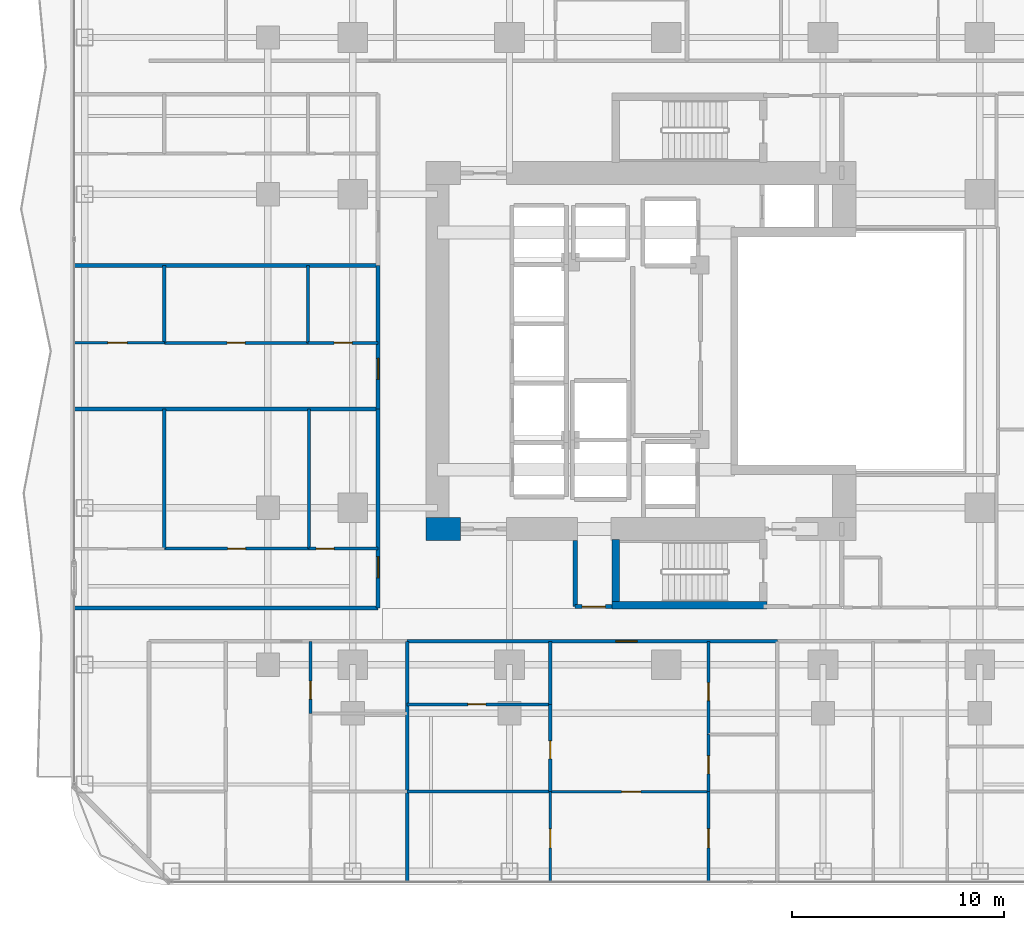
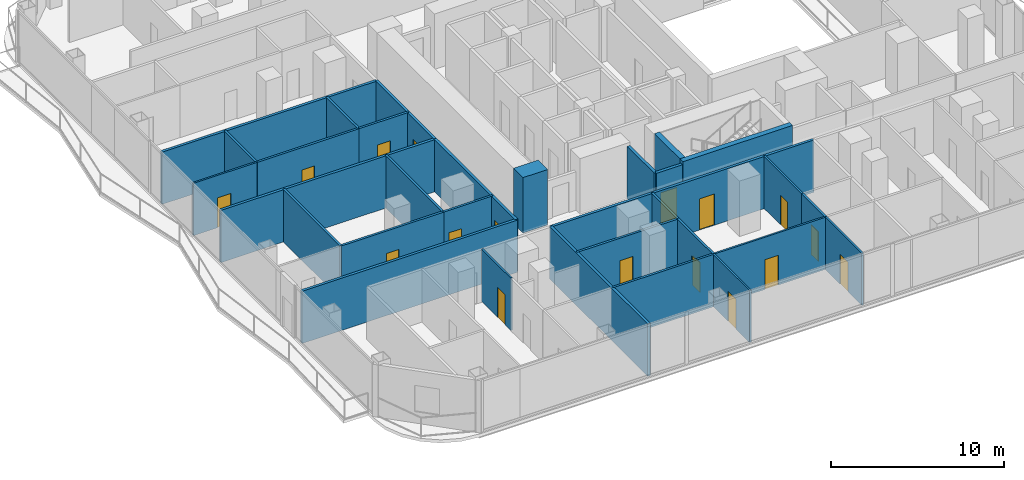
# One storey, part 20 of 29: 31 walls, 17 doors, 17 openings.
"""IFC4 building model written with IfcOpenShell, lengths in metres."""

from ifc_helpers import new_model, si_unit, direction, frame, frame_2d, origin, place, context, subcontext, project, spatial, rectangle, extrude, material, layer, layer_set, type_object, element, fill, save


model = new_model("IFC4")

# Units and contexts
model_context = context("Model", 3, precision=1e-05, world=origin(), true_north=direction((0.0, 1.0)))
body_context = subcontext(model_context, "Body", "Model", "MODEL_VIEW")
ifc_project = project(units=[si_unit("LENGTHUNIT", "METRE"), si_unit("AREAUNIT", "SQUARE_METRE"), si_unit("VOLUMEUNIT", "CUBIC_METRE"), si_unit("PLANEANGLEUNIT", "RADIAN"), si_unit("MASSUNIT", "GRAM", prefix="KILO")], contexts=[model_context])

# Site, building, storey
site_placement = place(None, origin())
site = spatial("IfcSite", under=ifc_project, at=site_placement, CompositionType="ELEMENT")
building_placement = place(site_placement, origin())
building = spatial("IfcBuilding", under=site, at=building_placement, Name="Khorvyn Point Tower", CompositionType="ELEMENT")
storey_placement = place(building_placement, frame((0.0, 0.0, 61.800048828125)))
storey = spatial("IfcBuildingStorey", under=building, at=storey_placement, Name="L16", CompositionType="ELEMENT", Elevation=61.800048828125)

# Wall, opening, door
ifc_material_1 = material(Name="Double acoustic gypsum on twin steel stud", Category="steel")
ifc_layer_1 = layer(ifc_material_1, 0.179931640625)
ifc_layer_set_1 = layer_set([ifc_layer_1], Name="Acoustic Double-Stud Apartment Demising Wall 180")
wall_type_1 = type_object("IfcWallType", Name="Acoustic Double-Stud Apartment Demising Wall 180", PredefinedType="PARTITIONING", material=ifc_layer_set_1)
wall_1_placement = place(storey_placement, frame((-12.22509765625, -13.699951171875, 0.0), z_axis=(0.0, 0.0, 1.0), x_axis=(1.0, 0.0, 0.0)))
wall_1 = element("IfcWall", 1, at=wall_1_placement, inside=storey, type_object=wall_type_1, Name="Wall", PredefinedType="PARTITIONING", context=body_context, shape_type="SweptSolid", body=[
    extrude(rectangle(XDim=17.467041015625, YDim=0.179931640625, at=frame_2d((8.7333984375, 0.0))), origin(), (0.0, 0.0, 1.0), 3.679931640625),
])
opening_1_placement = place(wall_1_placement, frame((9.84814453125, 0.0, 0.0)))
opening_1 = element("IfcOpeningElement", 2, at=opening_1_placement, cuts=wall_1, Name="Opening ID-AP60", PredefinedType="OPENING", context=body_context, shape_type="SweptSolid", body=[
    extrude(rectangle(XDim=1.0, YDim=2.199951171875, at=frame_2d((0.5, 1.10009765625))), frame((0.0, 0.099853515625, 0.0), z_axis=(0.0, -1.0, 0.0), x_axis=(1.0, 0.0, 0.0)), (0.0, 0.0, 1.0), 0.199951171875),
])
ifc_material_2 = material(Name="Engineered hardwood fire-rated leaf", Category="wood")
door_type_1 = type_object("IfcDoorType", Name="Acoustic Solid-Core Timber Apartment Entrance Door 1000x2200", OperationType="NOTDEFINED", PredefinedType="DOOR", material=ifc_material_2)
door_1_placement = place(opening_1_placement, origin())
door_1 = element("IfcDoor", 3, at=door_1_placement, inside=storey, type_object=door_type_1, Name="Door", OperationType="SINGLE_SWING_LEFT", OverallHeight=2.199951171875, OverallWidth=1.0, PredefinedType="DOOR", context=body_context, shape_type="SweptSolid", body=[
    extrude(rectangle(XDim=1.0, YDim=2.199951171875, at=frame_2d((0.5, 1.10009765625))), frame((0.0, 0.02490234375, 0.0), z_axis=(0.0, -1.0, 0.0), x_axis=(1.0, 0.0, 0.0)), (0.0, 0.0, 1.0), 0.050048828125),
])
fill(opening_1, door_1)

wall_2_placement = place(storey_placement, frame((-13.60009765625, -12.1201171875, 0.0), z_axis=(0.0, 0.0, 1.0), x_axis=(0.0, 1.0, 0.0)))
wall_2 = element("IfcWall", 4, at=wall_2_placement, inside=storey, type_object=wall_type_1, Name="Wall", PredefinedType="PARTITIONING", context=body_context, shape_type="SweptSolid", body=[
    extrude(rectangle(XDim=9.38916015625, YDim=0.179931640625, at=frame_2d((4.694580078125, 0.0))), origin(), (0.0, 0.0, 1.0), 3.679931640625),
])
opening_2_placement = place(wall_2_placement, frame((1.415283203125, 0.0, 0.0)))
opening_2 = element("IfcOpeningElement", 5, at=opening_2_placement, cuts=wall_2, Name="Opening ID-AP60", PredefinedType="OPENING", context=body_context, shape_type="SweptSolid", body=[
    extrude(rectangle(XDim=1.0, YDim=2.199951171875, at=frame_2d((0.5, 1.10009765625))), frame((0.0, 0.099853515625, 0.0), z_axis=(0.0, -1.0, 0.0), x_axis=(1.0, 0.0, 0.0)), (0.0, 0.0, 1.0), 0.199951171875),
])
door_2_placement = place(opening_2_placement, origin())
door_2 = element("IfcDoor", 6, at=door_2_placement, inside=storey, type_object=door_type_1, Name="Door", OperationType="SINGLE_SWING_LEFT", OverallHeight=2.199951171875, OverallWidth=1.0, PredefinedType="DOOR", context=body_context, shape_type="SweptSolid", body=[
    extrude(rectangle(XDim=1.0, YDim=2.199951171875, at=frame_2d((0.5, 1.10009765625))), frame((0.0, 0.02490234375, 0.0), z_axis=(0.0, -1.0, 0.0), x_axis=(1.0, 0.0, 0.0)), (0.0, 0.0, 1.0), 0.050048828125),
])
fill(opening_2, door_2)

wall_3_placement = place(storey_placement, frame((-13.60009765625, -2.73095703125, 0.0), z_axis=(0.0, 0.0, 1.0), x_axis=(0.0, 1.0, 0.0)))
wall_3 = element("IfcWall", 7, at=wall_3_placement, inside=storey, type_object=wall_type_1, Name="Wall", PredefinedType="PARTITIONING", context=body_context, shape_type="SweptSolid", body=[
    extrude(rectangle(XDim=6.77099609375, YDim=0.179931640625, at=frame_2d((3.385498046875, 0.0))), origin(), (0.0, 0.0, 1.0), 3.679931640625),
])
opening_3_placement = place(wall_3_placement, frame((1.390869140625, 0.0, 0.0)))
opening_3 = element("IfcOpeningElement", 8, at=opening_3_placement, cuts=wall_3, Name="Opening ID-AP60", PredefinedType="OPENING", context=body_context, shape_type="SweptSolid", body=[
    extrude(rectangle(XDim=1.0, YDim=2.199951171875, at=frame_2d((0.5, 1.10009765625))), frame((0.0, 0.099853515625, 0.0), z_axis=(0.0, -1.0, 0.0), x_axis=(1.0, 0.0, 0.0)), (0.0, 0.0, 1.0), 0.199951171875),
])
door_3_placement = place(opening_3_placement, origin())
door_3 = element("IfcDoor", 9, at=door_3_placement, inside=storey, type_object=door_type_1, Name="Door", OperationType="SINGLE_SWING_LEFT", OverallHeight=2.199951171875, OverallWidth=1.0, PredefinedType="DOOR", context=body_context, shape_type="SweptSolid", body=[
    extrude(rectangle(XDim=1.0, YDim=2.199951171875, at=frame_2d((0.5, 1.10009765625))), frame((0.0, 0.02490234375, 0.0), z_axis=(0.0, -1.0, 0.0), x_axis=(1.0, 0.0, 0.0)), (0.0, 0.0, 1.0), 0.050048828125),
])
fill(opening_3, door_3)

# Walls
wall_4_placement = place(storey_placement, frame((-12.22509765625, -25.030029296875, 0.0), z_axis=(0.0, 0.0, 1.0), x_axis=(0.0, 1.0, 0.0)))
element("IfcWall", 10, at=wall_4_placement, inside=storey, type_object=wall_type_1, Name="Wall", PredefinedType="PARTITIONING", context=body_context, shape_type="SweptSolid", body=[
    extrude(rectangle(XDim=11.330078125, YDim=0.179931640625, at=frame_2d((5.6650390625, 0.0))), origin(), (0.0, 0.0, 1.0), 3.679931640625),
])
for number, where, z_axis, x_axis, name in (
    (11, (-27.929931640625, -2.73095703125, 0.0), (0.0, 0.0, 1.0), (1.0, 0.0, 0.0), "Wall"),
    (12, (-27.929931640625, 4.0400390625, 0.0), (0.0, 0.0, 1.0), (1.0, 0.0, 0.0), "Wall"),
    (13, (-27.929931640625, -12.1201171875, 0.0), (0.0, 0.0, 1.0), (1.0, 0.0, 0.0), "Wall"),
):
    element("IfcWall", number, at=place(storey_placement, frame(where, z_axis=z_axis, x_axis=x_axis)), inside=storey, type_object=wall_type_1, Name=name, PredefinedType="PARTITIONING", context=body_context, shape_type="SweptSolid", body=[
        extrude(rectangle(XDim=14.329833984375, YDim=0.179931640625, at=frame_2d((7.1650390625, 0.0))), origin(), (0.0, 0.0, 1.0), 3.679931640625),
    ])

# Wall, opening, door
ifc_material_3 = material(Name="Concrete C40/50", Category="concrete")
ifc_layer_2 = layer(ifc_material_3, 0.199951171875)
ifc_layer_set_2 = layer_set([ifc_layer_2], Name="Concrete C40/50 Fire-Lobby Compartment Wall 200")
wall_type_2 = type_object("IfcWallType", Name="Concrete C40/50 Fire-Lobby Compartment Wall 200", PredefinedType="SOLIDWALL", material=ifc_layer_set_2)
wall_5_placement = place(storey_placement, frame((-4.300048828125, -12.06005859375, 0.0), z_axis=(0.0, 0.0, 1.0), x_axis=(1.0, 0.0, 0.0)))
wall_5 = element("IfcWall", 14, at=wall_5_placement, inside=storey, type_object=wall_type_2, Name="Wall", PredefinedType="SOLIDWALL", context=body_context, shape_type="SweptSolid", body=[
    extrude(rectangle(XDim=1.75, YDim=0.199951171875, at=frame_2d((0.875, 0.0))), origin(), (0.0, 0.0, 1.0), 3.679931640625),
])
opening_4_placement = place(wall_5_placement, frame((0.324951171875, 0.0, 0.0)))
opening_4 = element("IfcOpeningElement", 15, at=opening_4_placement, cuts=wall_5, Name="Opening ID-FL90", PredefinedType="OPENING", context=body_context, shape_type="SweptSolid", body=[
    extrude(rectangle(XDim=1.10009765625, YDim=2.14990234375, at=frame_2d((0.550048828125, 1.074951171875))), frame((0.0, 0.10986328125, 0.0), z_axis=(0.0, -1.0, 0.0), x_axis=(1.0, 0.0, 0.0)), (0.0, 0.0, 1.0), 0.219970703125),
])
ifc_material_4 = material(Name="Galvanised powder-coated steel", Category="steel")
door_type_2 = type_object("IfcDoorType", Name="Fire-Rated Steel Lobby and Stair Door 1100x2150", OperationType="NOTDEFINED", PredefinedType="DOOR", material=ifc_material_4)
door_4_placement = place(opening_4_placement, origin())
door_4 = element("IfcDoor", 16, at=door_4_placement, inside=storey, type_object=door_type_2, Name="Door", OperationType="SINGLE_SWING_RIGHT", OverallHeight=2.14990234375, OverallWidth=1.10009765625, PredefinedType="DOOR", context=body_context, shape_type="SweptSolid", body=[
    extrude(rectangle(XDim=1.10009765625, YDim=2.14990234375, at=frame_2d((0.550048828125, 1.074951171875))), frame((0.0, 0.02490234375, 0.0), z_axis=(0.0, -1.0, 0.0), x_axis=(1.0, 0.0, 0.0)), (0.0, 0.0, 1.0), 0.050048828125),
])
fill(opening_4, door_4)

# Walls
wall_6_placement = place(storey_placement, frame((-4.300048828125, -12.06005859375, 0.0), z_axis=(0.0, 0.0, 1.0), x_axis=(0.0, 1.0, 0.0)))
element("IfcWall", 17, at=wall_6_placement, inside=storey, type_object=wall_type_2, Name="Wall", PredefinedType="SOLIDWALL", context=body_context, shape_type="SweptSolid", body=[
    extrude(rectangle(XDim=3.110107421875, YDim=0.199951171875, at=frame_2d((1.55517578125, 0.0))), origin(), (0.0, 0.0, 1.0), 3.679931640625),
])
ifc_layer_3 = layer(ifc_material_3, 0.35009765625)
ifc_layer_set_3 = layer_set([ifc_layer_3], Name="Concrete C40/50 Stair Shaft Structural Wall 350")
wall_type_3 = type_object("IfcWallType", Name="Concrete C40/50 Stair Shaft Structural Wall 350", PredefinedType="SHEAR", material=ifc_layer_set_3)
wall_7_placement = place(storey_placement, frame((-2.554931640625, -12.0, 0.0), z_axis=(0.0, 0.0, 1.0), x_axis=(1.0, 0.0, 0.0)))
element("IfcWall", 18, at=wall_7_placement, inside=storey, type_object=wall_type_3, Name="L16 ST-01 South Shaft Wall", PredefinedType="SHEAR", context=body_context, shape_type="SweptSolid", body=[
    extrude(rectangle(XDim=7.309814453125, YDim=0.35009765625, at=frame_2d((3.65478515625, 0.0))), origin(), (0.0, 0.0, 1.0), 3.89990234375),
])
wall_8_placement = place(storey_placement, frame((-2.3798828125, -11.824951171875, 0.0), z_axis=(0.0, 0.0, 1.0), x_axis=(0.0, 1.0, 0.0)))
element("IfcWall", 19, at=wall_8_placement, inside=storey, type_object=wall_type_3, Name="L16 ST-01 West Shaft Wall", PredefinedType="SHEAR", context=body_context, shape_type="SweptSolid", body=[
    extrude(rectangle(XDim=2.925048828125, YDim=0.35009765625, at=frame_2d((1.46240234375, 0.0))), origin(), (0.0, 0.0, 1.0), 3.89990234375),
])
ifc_material_5 = material(Name="Concrete C50/60", Category="concrete")
ifc_layer_4 = layer(ifc_material_5, 1.10009765625)
ifc_layer_set_4 = layer_set([ifc_layer_4], Name="Concrete C50/60 Core Shear Wall 1100")
wall_type_4 = type_object("IfcWallType", Name="Concrete C50/60 Core Shear Wall 1100", PredefinedType="SHEAR", material=ifc_layer_set_4)
wall_9_placement = place(storey_placement, frame((-11.35009765625, -8.39990234375, 0.0), z_axis=(0.0, 0.0, 1.0), x_axis=(1.0, 0.0, 0.0)))
element("IfcWall", 20, at=wall_9_placement, inside=storey, type_object=wall_type_4, Name="Wall", PredefinedType="SHEAR", context=body_context, shape_type="SweptSolid", body=[
    extrude(rectangle(XDim=1.650146484375, YDim=1.10009765625, at=frame_2d((0.8251953125, 0.0))), origin(), (0.0, 0.0, 1.0), 3.89990234375),
])

# Wall, opening, door
ifc_material_6 = material(Name="Gypsum plasterboard on steel stud", Category="steel")
ifc_layer_5 = layer(ifc_material_6, 0.1201171875)
ifc_layer_set_5 = layer_set([ifc_layer_5], Name="Gypsum Acoustic Stud Room Partition Wall 120")
wall_type_5 = type_object("IfcWallType", Name="Gypsum Acoustic Stud Room Partition Wall 120", PredefinedType="PARTITIONING", material=ifc_layer_set_5)
wall_10_placement = place(storey_placement, frame((-16.791015625, -17.10009765625, 0.0), z_axis=(0.0, 0.0, 1.0), x_axis=(0.0, 1.0, 0.0)))
wall_10 = element("IfcWall", 21, at=wall_10_placement, inside=storey, type_object=wall_type_5, Name="Wall", PredefinedType="PARTITIONING", context=body_context, shape_type="SweptSolid", body=[
    extrude(rectangle(XDim=3.400146484375, YDim=0.1201171875, at=frame_2d((1.7001953125, 0.0))), origin(), (0.0, 0.0, 1.0), 3.679931640625),
])
opening_5_placement = place(wall_10_placement, frame((0.674560546875, 0.0, 0.0)))
opening_5 = element("IfcOpeningElement", 22, at=opening_5_placement, cuts=wall_10, Name="Opening ID-WC85", PredefinedType="OPENING", context=body_context, shape_type="SweptSolid", body=[
    extrude(rectangle(XDim=0.85009765625, YDim=2.10009765625, at=frame_2d((0.425048828125, 1.050048828125))), frame((0.0, 0.070068359375, 0.0), z_axis=(0.0, -1.0, 0.0), x_axis=(1.0, 0.0, 0.0)), (0.0, 0.0, 1.0), 0.14013671875),
])
ifc_material_7 = material(Name="High-pressure laminate on moisture-resistant core", Category="wood")
door_type_3 = type_object("IfcDoorType", Name="Moisture-Resistant Accessible Washroom Door 850x2100", OperationType="NOTDEFINED", PredefinedType="DOOR", material=ifc_material_7)
door_5_placement = place(opening_5_placement, origin())
door_5 = element("IfcDoor", 23, at=door_5_placement, inside=storey, type_object=door_type_3, Name="Door", OperationType="SINGLE_SWING_LEFT", OverallHeight=2.10009765625, OverallWidth=0.85009765625, PredefinedType="DOOR", context=body_context, shape_type="SweptSolid", body=[
    extrude(rectangle(XDim=0.85009765625, YDim=2.10009765625, at=frame_2d((0.425048828125, 1.050048828125))), frame((0.0, 0.02490234375, 0.0), z_axis=(0.0, -1.0, 0.0), x_axis=(1.0, 0.0, 0.0)), (0.0, 0.0, 1.0), 0.050048828125),
])
fill(opening_5, door_5)

wall_11_placement = place(storey_placement, frame((-5.47705078125, -20.7900390625, 0.0), z_axis=(0.0, 0.0, 1.0), x_axis=(1.0, 0.0, 0.0)))
wall_11 = element("IfcWall", 24, at=wall_11_placement, inside=storey, type_object=wall_type_5, Name="Wall", PredefinedType="PARTITIONING", context=body_context, shape_type="SweptSolid", body=[
    extrude(rectangle(XDim=7.470947265625, YDim=0.1201171875, at=frame_2d((3.7353515625, 0.0))), origin(), (0.0, 0.0, 1.0), 3.679931640625),
])
opening_6_placement = place(wall_11_placement, frame((3.374755859375, 0.0, 0.0)))
opening_6 = element("IfcOpeningElement", 25, at=opening_6_placement, cuts=wall_11, Name="Opening ID-RM90", PredefinedType="OPENING", context=body_context, shape_type="SweptSolid", body=[
    extrude(rectangle(XDim=0.89990234375, YDim=2.10009765625, at=frame_2d((0.449951171875, 1.050048828125))), frame((0.0, 0.070068359375, 0.0), z_axis=(0.0, -1.0, 0.0), x_axis=(1.0, 0.0, 0.0)), (0.0, 0.0, 1.0), 0.14013671875),
])
ifc_material_8 = material(Name="Engineered oak veneer timber", Category="wood")
door_type_4 = type_object("IfcDoorType", Name="Flush Engineered Timber Room Door 900x2100", OperationType="NOTDEFINED", PredefinedType="DOOR", material=ifc_material_8)
door_6_placement = place(opening_6_placement, origin())
door_6 = element("IfcDoor", 26, at=door_6_placement, inside=storey, type_object=door_type_4, Name="Door", OperationType="SINGLE_SWING_RIGHT", OverallHeight=2.10009765625, OverallWidth=0.89990234375, PredefinedType="DOOR", context=body_context, shape_type="SweptSolid", body=[
    extrude(rectangle(XDim=0.89990234375, YDim=2.10009765625, at=frame_2d((0.449951171875, 1.050048828125))), frame((0.0, 0.02490234375, 0.0), z_axis=(0.0, -1.0, 0.0), x_axis=(1.0, 0.0, 0.0)), (0.0, 0.0, 1.0), 0.050048828125),
])
fill(opening_6, door_6)

wall_12_placement = place(storey_placement, frame((-5.47705078125, -25.030029296875, 0.0), z_axis=(0.0, 0.0, 1.0), x_axis=(0.0, 1.0, 0.0)))
wall_12 = element("IfcWall", 27, at=wall_12_placement, inside=storey, type_object=wall_type_5, Name="Wall", PredefinedType="PARTITIONING", context=body_context, shape_type="SweptSolid", body=[
    extrude(rectangle(XDim=4.239990234375, YDim=0.1201171875, at=frame_2d((2.1201171875, 0.0))), origin(), (0.0, 0.0, 1.0), 3.679931640625),
])
opening_7_placement = place(wall_12_placement, frame((1.581298828125, 0.0, 0.0)))
opening_7 = element("IfcOpeningElement", 28, at=opening_7_placement, cuts=wall_12, Name="Opening ID-RM90", PredefinedType="OPENING", context=body_context, shape_type="SweptSolid", body=[
    extrude(rectangle(XDim=0.89990234375, YDim=2.10009765625, at=frame_2d((0.449951171875, 1.050048828125))), frame((0.0, 0.070068359375, 0.0), z_axis=(0.0, -1.0, 0.0), x_axis=(1.0, 0.0, 0.0)), (0.0, 0.0, 1.0), 0.14013671875),
])
door_7_placement = place(opening_7_placement, origin())
door_7 = element("IfcDoor", 29, at=door_7_placement, inside=storey, type_object=door_type_4, Name="Door", OperationType="SINGLE_SWING_LEFT", OverallHeight=2.10009765625, OverallWidth=0.89990234375, PredefinedType="DOOR", context=body_context, shape_type="SweptSolid", body=[
    extrude(rectangle(XDim=0.89990234375, YDim=2.10009765625, at=frame_2d((0.449951171875, 1.050048828125))), frame((0.0, 0.02490234375, 0.0), z_axis=(0.0, -1.0, 0.0), x_axis=(1.0, 0.0, 0.0)), (0.0, 0.0, 1.0), 0.050048828125),
])
fill(opening_7, door_7)

wall_13_placement = place(storey_placement, frame((1.993896484375, -18.095947265625, 0.0), z_axis=(0.0, 0.0, 1.0), x_axis=(0.0, 1.0, 0.0)))
wall_13 = element("IfcWall", 30, at=wall_13_placement, inside=storey, type_object=wall_type_5, Name="Wall", PredefinedType="PARTITIONING", context=body_context, shape_type="SweptSolid", body=[
    extrude(rectangle(XDim=4.39599609375, YDim=0.1201171875, at=frame_2d((2.197998046875, 0.0))), origin(), (0.0, 0.0, 1.0), 3.679931640625),
])
opening_8_placement = place(wall_13_placement, frame((1.59375, 0.0, 0.0)))
opening_8 = element("IfcOpeningElement", 31, at=opening_8_placement, cuts=wall_13, Name="Opening ID-WC85", PredefinedType="OPENING", context=body_context, shape_type="SweptSolid", body=[
    extrude(rectangle(XDim=0.85009765625, YDim=2.10009765625, at=frame_2d((0.425048828125, 1.050048828125))), frame((0.0, 0.070068359375, 0.0), z_axis=(0.0, -1.0, 0.0), x_axis=(1.0, 0.0, 0.0)), (0.0, 0.0, 1.0), 0.14013671875),
])
door_8_placement = place(opening_8_placement, origin())
door_8 = element("IfcDoor", 32, at=door_8_placement, inside=storey, type_object=door_type_3, Name="Door", OperationType="SINGLE_SWING_LEFT", OverallHeight=2.10009765625, OverallWidth=0.85009765625, PredefinedType="DOOR", context=body_context, shape_type="SweptSolid", body=[
    extrude(rectangle(XDim=0.85009765625, YDim=2.10009765625, at=frame_2d((0.425048828125, 1.050048828125))), frame((0.0, 0.02490234375, 0.0), z_axis=(0.0, -1.0, 0.0), x_axis=(1.0, 0.0, 0.0)), (0.0, 0.0, 1.0), 0.050048828125),
])
fill(opening_8, door_8)

wall_14_placement = place(storey_placement, frame((1.993896484375, -25.030029296875, 0.0), z_axis=(0.0, 0.0, 1.0), x_axis=(0.0, 1.0, 0.0)))
wall_14 = element("IfcWall", 33, at=wall_14_placement, inside=storey, type_object=wall_type_5, Name="Wall", PredefinedType="PARTITIONING", context=body_context, shape_type="SweptSolid", body=[
    extrude(rectangle(XDim=4.239990234375, YDim=0.1201171875, at=frame_2d((2.1201171875, 0.0))), origin(), (0.0, 0.0, 1.0), 3.679931640625),
])
opening_9_placement = place(wall_14_placement, frame((1.581298828125, 0.0, 0.0)))
opening_9 = element("IfcOpeningElement", 34, at=opening_9_placement, cuts=wall_14, Name="Opening ID-RM90", PredefinedType="OPENING", context=body_context, shape_type="SweptSolid", body=[
    extrude(rectangle(XDim=0.89990234375, YDim=2.10009765625, at=frame_2d((0.449951171875, 1.050048828125))), frame((0.0, 0.070068359375, 0.0), z_axis=(0.0, -1.0, 0.0), x_axis=(1.0, 0.0, 0.0)), (0.0, 0.0, 1.0), 0.14013671875),
])
door_9_placement = place(opening_9_placement, origin())
door_9 = element("IfcDoor", 35, at=door_9_placement, inside=storey, type_object=door_type_4, Name="Door", OperationType="SINGLE_SWING_RIGHT", OverallHeight=2.10009765625, OverallWidth=0.89990234375, PredefinedType="DOOR", context=body_context, shape_type="SweptSolid", body=[
    extrude(rectangle(XDim=0.89990234375, YDim=2.10009765625, at=frame_2d((0.449951171875, 1.050048828125))), frame((0.0, 0.02490234375, 0.0), z_axis=(0.0, -1.0, 0.0), x_axis=(1.0, 0.0, 0.0)), (0.0, 0.0, 1.0), 0.050048828125),
])
fill(opening_9, door_9)

wall_15_placement = place(storey_placement, frame((-27.929931640625, 0.384033203125, 0.0), z_axis=(0.0, 0.0, 1.0), x_axis=(1.0, 0.0, 0.0)))
wall_15 = element("IfcWall", 36, at=wall_15_placement, inside=storey, type_object=wall_type_5, Name="Wall", PredefinedType="PARTITIONING", context=body_context, shape_type="SweptSolid", body=[
    extrude(rectangle(XDim=4.239990234375, YDim=0.1201171875, at=frame_2d((2.1201171875, 0.0))), origin(), (0.0, 0.0, 1.0), 3.679931640625),
])
opening_10_placement = place(wall_15_placement, frame((1.581298828125, 0.0, 0.0)))
opening_10 = element("IfcOpeningElement", 37, at=opening_10_placement, cuts=wall_15, Name="Opening ID-RM90", PredefinedType="OPENING", context=body_context, shape_type="SweptSolid", body=[
    extrude(rectangle(XDim=0.89990234375, YDim=2.10009765625, at=frame_2d((0.449951171875, 1.050048828125))), frame((0.0, 0.070068359375, 0.0), z_axis=(0.0, -1.0, 0.0), x_axis=(1.0, 0.0, 0.0)), (0.0, 0.0, 1.0), 0.14013671875),
])
door_10_placement = place(opening_10_placement, origin())
door_10 = element("IfcDoor", 38, at=door_10_placement, inside=storey, type_object=door_type_4, Name="Door", OperationType="SINGLE_SWING_RIGHT", OverallHeight=2.10009765625, OverallWidth=0.89990234375, PredefinedType="DOOR", context=body_context, shape_type="SweptSolid", body=[
    extrude(rectangle(XDim=0.89990234375, YDim=2.10009765625, at=frame_2d((0.449951171875, 1.050048828125))), frame((0.0, 0.02490234375, 0.0), z_axis=(0.0, -1.0, 0.0), x_axis=(1.0, 0.0, 0.0)), (0.0, 0.0, 1.0), 0.050048828125),
])
fill(opening_10, door_10)

ifc_material_9 = material(Name="Moisture-resistant gypsum and cement board", Category="gypsum")
ifc_layer_6 = layer(ifc_material_9, 0.14990234375)
ifc_layer_set_6 = layer_set([ifc_layer_6], Name="Moisture-Resistant Wet-Room Partition Wall 150")
wall_type_6 = type_object("IfcWallType", Name="Moisture-Resistant Wet-Room Partition Wall 150", PredefinedType="PARTITIONING", material=ifc_layer_set_6)
wall_16_placement = place(storey_placement, frame((-5.47705078125, -20.7900390625, 0.0), z_axis=(0.0, 0.0, 1.0), x_axis=(0.0, 1.0, 0.0)))
wall_16 = element("IfcWall", 39, at=wall_16_placement, inside=storey, type_object=wall_type_6, Name="Wall", PredefinedType="PARTITIONING", context=body_context, shape_type="SweptSolid", body=[
    extrude(rectangle(XDim=4.112060546875, YDim=0.14990234375, at=frame_2d((2.05615234375, 0.0))), origin(), (0.0, 0.0, 1.0), 3.679931640625),
])
opening_11_placement = place(wall_16_placement, frame((1.54443359375, 0.0, 0.0)))
opening_11 = element("IfcOpeningElement", 40, at=opening_11_placement, cuts=wall_16, Name="Opening ID-WC85", PredefinedType="OPENING", context=body_context, shape_type="SweptSolid", body=[
    extrude(rectangle(XDim=0.85009765625, YDim=2.10009765625, at=frame_2d((0.425048828125, 1.050048828125))), frame((0.0, 0.0849609375, 0.0), z_axis=(0.0, -1.0, 0.0), x_axis=(1.0, 0.0, 0.0)), (0.0, 0.0, 1.0), 0.169921875),
])
door_11_placement = place(opening_11_placement, origin())
door_11 = element("IfcDoor", 41, at=door_11_placement, inside=storey, type_object=door_type_3, Name="Door", OperationType="SINGLE_SWING_LEFT", OverallHeight=2.10009765625, OverallWidth=0.85009765625, PredefinedType="DOOR", context=body_context, shape_type="SweptSolid", body=[
    extrude(rectangle(XDim=0.85009765625, YDim=2.10009765625, at=frame_2d((0.425048828125, 1.050048828125))), frame((0.0, 0.02490234375, 0.0), z_axis=(0.0, -1.0, 0.0), x_axis=(1.0, 0.0, 0.0)), (0.0, 0.0, 1.0), 0.050048828125),
])
fill(opening_11, door_11)

# Wall
wall_17_placement = place(storey_placement, frame((-5.47705078125, -16.677978515625, 0.0), z_axis=(0.0, 0.0, 1.0), x_axis=(0.0, 1.0, 0.0)))
element("IfcWall", 42, at=wall_17_placement, inside=storey, type_object=wall_type_6, Name="Wall", PredefinedType="PARTITIONING", context=body_context, shape_type="SweptSolid", body=[
    extrude(rectangle(XDim=2.97802734375, YDim=0.14990234375, at=frame_2d((1.489013671875, 0.0))), origin(), (0.0, 0.0, 1.0), 3.679931640625),
])

# Wall, opening, door
wall_18_placement = place(storey_placement, frame((1.993896484375, -20.7900390625, 0.0), z_axis=(0.0, 0.0, 1.0), x_axis=(0.0, 1.0, 0.0)))
wall_18 = element("IfcWall", 43, at=wall_18_placement, inside=storey, type_object=wall_type_6, Name="Wall", PredefinedType="PARTITIONING", context=body_context, shape_type="SweptSolid", body=[
    extrude(rectangle(XDim=2.694091796875, YDim=0.14990234375, at=frame_2d((1.34716796875, 0.0))), origin(), (0.0, 0.0, 1.0), 3.679931640625),
])
opening_12_placement = place(wall_18_placement, frame((0.83740234375, 0.0, 0.0)))
opening_12 = element("IfcOpeningElement", 44, at=opening_12_placement, cuts=wall_18, Name="Opening ID-WC85", PredefinedType="OPENING", context=body_context, shape_type="SweptSolid", body=[
    extrude(rectangle(XDim=0.85009765625, YDim=2.10009765625, at=frame_2d((0.425048828125, 1.050048828125))), frame((0.0, 0.0849609375, 0.0), z_axis=(0.0, -1.0, 0.0), x_axis=(1.0, 0.0, 0.0)), (0.0, 0.0, 1.0), 0.169921875),
])
door_12_placement = place(opening_12_placement, origin())
door_12 = element("IfcDoor", 45, at=door_12_placement, inside=storey, type_object=door_type_3, Name="Door", OperationType="SINGLE_SWING_RIGHT", OverallHeight=2.10009765625, OverallWidth=0.85009765625, PredefinedType="DOOR", context=body_context, shape_type="SweptSolid", body=[
    extrude(rectangle(XDim=0.85009765625, YDim=2.10009765625, at=frame_2d((0.425048828125, 1.050048828125))), frame((0.0, 0.02490234375, 0.0), z_axis=(0.0, -1.0, 0.0), x_axis=(1.0, 0.0, 0.0)), (0.0, 0.0, 1.0), 0.050048828125),
])
fill(opening_12, door_12)

wall_19_placement = place(storey_placement, frame((-23.68994140625, -9.320068359375, 0.0), z_axis=(0.0, 0.0, 1.0), x_axis=(1.0, 0.0, 0.0)))
wall_19 = element("IfcWall", 46, at=wall_19_placement, inside=storey, type_object=wall_type_6, Name="Wall", PredefinedType="PARTITIONING", context=body_context, shape_type="SweptSolid", body=[
    extrude(rectangle(XDim=6.826904296875, YDim=0.14990234375, at=frame_2d((3.41357421875, 0.0))), origin(), (0.0, 0.0, 1.0), 3.679931640625),
])
opening_13_placement = place(wall_19_placement, frame((2.988525390625, 0.0, 0.0)))
opening_13 = element("IfcOpeningElement", 47, at=opening_13_placement, cuts=wall_19, Name="Opening ID-WC85", PredefinedType="OPENING", context=body_context, shape_type="SweptSolid", body=[
    extrude(rectangle(XDim=0.85009765625, YDim=2.10009765625, at=frame_2d((0.425048828125, 1.050048828125))), frame((0.0, 0.0849609375, 0.0), z_axis=(0.0, -1.0, 0.0), x_axis=(1.0, 0.0, 0.0)), (0.0, 0.0, 1.0), 0.169921875),
])
door_13_placement = place(opening_13_placement, origin())
door_13 = element("IfcDoor", 48, at=door_13_placement, inside=storey, type_object=door_type_3, Name="Door", OperationType="SINGLE_SWING_RIGHT", OverallHeight=2.10009765625, OverallWidth=0.85009765625, PredefinedType="DOOR", context=body_context, shape_type="SweptSolid", body=[
    extrude(rectangle(XDim=0.85009765625, YDim=2.10009765625, at=frame_2d((0.425048828125, 1.050048828125))), frame((0.0, 0.02490234375, 0.0), z_axis=(0.0, -1.0, 0.0), x_axis=(1.0, 0.0, 0.0)), (0.0, 0.0, 1.0), 0.050048828125),
])
fill(opening_13, door_13)

wall_20_placement = place(storey_placement, frame((-16.863037109375, -9.320068359375, 0.0), z_axis=(0.0, 0.0, 1.0), x_axis=(1.0, 0.0, 0.0)))
wall_20 = element("IfcWall", 49, at=wall_20_placement, inside=storey, type_object=wall_type_6, Name="Wall", PredefinedType="PARTITIONING", context=body_context, shape_type="SweptSolid", body=[
    extrude(rectangle(XDim=3.262939453125, YDim=0.14990234375, at=frame_2d((1.63134765625, 0.0))), origin(), (0.0, 0.0, 1.0), 3.679931640625),
])
opening_14_placement = place(wall_20_placement, frame((0.33447265625, 0.0, 0.0)))
opening_14 = element("IfcOpeningElement", 50, at=opening_14_placement, cuts=wall_20, Name="Opening ID-WC85", PredefinedType="OPENING", context=body_context, shape_type="SweptSolid", body=[
    extrude(rectangle(XDim=0.85009765625, YDim=2.10009765625, at=frame_2d((0.425048828125, 1.050048828125))), frame((0.0, 0.0849609375, 0.0), z_axis=(0.0, -1.0, 0.0), x_axis=(1.0, 0.0, 0.0)), (0.0, 0.0, 1.0), 0.169921875),
])
door_14_placement = place(opening_14_placement, origin())
door_14 = element("IfcDoor", 51, at=door_14_placement, inside=storey, type_object=door_type_3, Name="Door", OperationType="SINGLE_SWING_LEFT", OverallHeight=2.10009765625, OverallWidth=0.85009765625, PredefinedType="DOOR", context=body_context, shape_type="SweptSolid", body=[
    extrude(rectangle(XDim=0.85009765625, YDim=2.10009765625, at=frame_2d((0.425048828125, 1.050048828125))), frame((0.0, 0.02490234375, 0.0), z_axis=(0.0, -1.0, 0.0), x_axis=(1.0, 0.0, 0.0)), (0.0, 0.0, 1.0), 0.050048828125),
])
fill(opening_14, door_14)

wall_21_placement = place(storey_placement, frame((-23.68994140625, 0.384033203125, 0.0), z_axis=(0.0, 0.0, 1.0), x_axis=(1.0, 0.0, 0.0)))
wall_21 = element("IfcWall", 52, at=wall_21_placement, inside=storey, type_object=wall_type_6, Name="Wall", PredefinedType="PARTITIONING", context=body_context, shape_type="SweptSolid", body=[
    extrude(rectangle(XDim=6.787841796875, YDim=0.14990234375, at=frame_2d((3.39404296875, 0.0))), origin(), (0.0, 0.0, 1.0), 3.679931640625),
])
opening_15_placement = place(wall_21_placement, frame((2.968994140625, 0.0, 0.0)))
opening_15 = element("IfcOpeningElement", 53, at=opening_15_placement, cuts=wall_21, Name="Opening ID-WC85", PredefinedType="OPENING", context=body_context, shape_type="SweptSolid", body=[
    extrude(rectangle(XDim=0.85009765625, YDim=2.10009765625, at=frame_2d((0.425048828125, 1.050048828125))), frame((0.0, 0.0849609375, 0.0), z_axis=(0.0, -1.0, 0.0), x_axis=(1.0, 0.0, 0.0)), (0.0, 0.0, 1.0), 0.169921875),
])
door_15_placement = place(opening_15_placement, origin())
door_15 = element("IfcDoor", 54, at=door_15_placement, inside=storey, type_object=door_type_3, Name="Door", OperationType="SINGLE_SWING_RIGHT", OverallHeight=2.10009765625, OverallWidth=0.85009765625, PredefinedType="DOOR", context=body_context, shape_type="SweptSolid", body=[
    extrude(rectangle(XDim=0.85009765625, YDim=2.10009765625, at=frame_2d((0.425048828125, 1.050048828125))), frame((0.0, 0.02490234375, 0.0), z_axis=(0.0, -1.0, 0.0), x_axis=(1.0, 0.0, 0.0)), (0.0, 0.0, 1.0), 0.050048828125),
])
fill(opening_15, door_15)

wall_22_placement = place(storey_placement, frame((-16.902099609375, 0.384033203125, 0.0), z_axis=(0.0, 0.0, 1.0), x_axis=(1.0, 0.0, 0.0)))
wall_22 = element("IfcWall", 55, at=wall_22_placement, inside=storey, type_object=wall_type_6, Name="Wall", PredefinedType="PARTITIONING", context=body_context, shape_type="SweptSolid", body=[
    extrude(rectangle(XDim=3.302001953125, YDim=0.14990234375, at=frame_2d((1.65087890625, 0.0))), origin(), (0.0, 0.0, 1.0), 3.679931640625),
])
opening_16_placement = place(wall_22_placement, frame((1.22607421875, 0.0, 0.0)))
opening_16 = element("IfcOpeningElement", 56, at=opening_16_placement, cuts=wall_22, Name="Opening ID-WC85", PredefinedType="OPENING", context=body_context, shape_type="SweptSolid", body=[
    extrude(rectangle(XDim=0.85009765625, YDim=2.10009765625, at=frame_2d((0.425048828125, 1.050048828125))), frame((0.0, 0.0849609375, 0.0), z_axis=(0.0, -1.0, 0.0), x_axis=(1.0, 0.0, 0.0)), (0.0, 0.0, 1.0), 0.169921875),
])
door_16_placement = place(opening_16_placement, origin())
door_16 = element("IfcDoor", 57, at=door_16_placement, inside=storey, type_object=door_type_3, Name="Door", OperationType="SINGLE_SWING_LEFT", OverallHeight=2.10009765625, OverallWidth=0.85009765625, PredefinedType="DOOR", context=body_context, shape_type="SweptSolid", body=[
    extrude(rectangle(XDim=0.85009765625, YDim=2.10009765625, at=frame_2d((0.425048828125, 1.050048828125))), frame((0.0, 0.02490234375, 0.0), z_axis=(0.0, -1.0, 0.0), x_axis=(1.0, 0.0, 0.0)), (0.0, 0.0, 1.0), 0.050048828125),
])
fill(opening_16, door_16)

wall_23_placement = place(storey_placement, frame((-12.22509765625, -16.677978515625, 0.0), z_axis=(0.0, 0.0, 1.0), x_axis=(1.0, 0.0, 0.0)))
wall_23 = element("IfcWall", 58, at=wall_23_placement, inside=storey, type_object=wall_type_6, Name="Wall", PredefinedType="PARTITIONING", context=body_context, shape_type="SweptSolid", body=[
    extrude(rectangle(XDim=6.748046875, YDim=0.14990234375, at=frame_2d((3.3740234375, 0.0))), origin(), (0.0, 0.0, 1.0), 3.679931640625),
])
opening_17_placement = place(wall_23_placement, frame((2.85888671875, 0.0, 0.0)))
opening_17 = element("IfcOpeningElement", 59, at=opening_17_placement, cuts=wall_23, Name="Opening ID-WC85", PredefinedType="OPENING", context=body_context, shape_type="SweptSolid", body=[
    extrude(rectangle(XDim=0.85009765625, YDim=2.10009765625, at=frame_2d((0.425048828125, 1.050048828125))), frame((0.0, 0.0849609375, 0.0), z_axis=(0.0, -1.0, 0.0), x_axis=(1.0, 0.0, 0.0)), (0.0, 0.0, 1.0), 0.169921875),
])
door_17_placement = place(opening_17_placement, origin())
door_17 = element("IfcDoor", 60, at=door_17_placement, inside=storey, type_object=door_type_3, Name="Door", OperationType="SINGLE_SWING_RIGHT", OverallHeight=2.10009765625, OverallWidth=0.85009765625, PredefinedType="DOOR", context=body_context, shape_type="SweptSolid", body=[
    extrude(rectangle(XDim=0.85009765625, YDim=2.10009765625, at=frame_2d((0.425048828125, 1.050048828125))), frame((0.0, 0.02490234375, 0.0), z_axis=(0.0, -1.0, 0.0), x_axis=(1.0, 0.0, 0.0)), (0.0, 0.0, 1.0), 0.050048828125),
])
fill(opening_17, door_17)

# Walls
wall_24_placement = place(storey_placement, frame((-12.22509765625, -20.7900390625, 0.0), z_axis=(0.0, 0.0, 1.0), x_axis=(1.0, 0.0, 0.0)))
element("IfcWall", 61, at=wall_24_placement, inside=storey, type_object=wall_type_6, Name="Wall", PredefinedType="PARTITIONING", context=body_context, shape_type="SweptSolid", body=[
    extrude(rectangle(XDim=6.748046875, YDim=0.14990234375, at=frame_2d((3.3740234375, 0.0))), origin(), (0.0, 0.0, 1.0), 3.679931640625),
])
for number, where, z_axis, x_axis, name in (
    (62, (-16.863037109375, -9.320068359375, 0.0), (0.0, 0.0, 1.0), (0.0, 1.0, 0.0), "Wall"),
    (63, (-23.68994140625, -9.320068359375, 0.0), (0.0, 0.0, 1.0), (0.0, 1.0, 0.0), "Wall"),
):
    element("IfcWall", number, at=place(storey_placement, frame(where, z_axis=z_axis, x_axis=x_axis)), inside=storey, type_object=wall_type_6, Name=name, PredefinedType="PARTITIONING", context=body_context, shape_type="SweptSolid", body=[
        extrude(rectangle(XDim=6.589111328125, YDim=0.14990234375, at=frame_2d((3.29443359375, 0.0))), origin(), (0.0, 0.0, 1.0), 3.679931640625),
    ])
for number, where, z_axis, x_axis, name in (
    (64, (-16.902099609375, 0.384033203125, 0.0), (0.0, 0.0, 1.0), (0.0, 1.0, 0.0), "Wall"),
    (65, (-23.68994140625, 0.384033203125, 0.0), (0.0, 0.0, 1.0), (0.0, 1.0, 0.0), "Wall"),
):
    element("IfcWall", number, at=place(storey_placement, frame(where, z_axis=z_axis, x_axis=x_axis)), inside=storey, type_object=wall_type_6, Name=name, PredefinedType="PARTITIONING", context=body_context, shape_type="SweptSolid", body=[
        extrude(rectangle(XDim=3.656005859375, YDim=0.14990234375, at=frame_2d((1.828125, 0.0))), origin(), (0.0, 0.0, 1.0), 3.679931640625),
    ])

save(model, "model.ifc")
